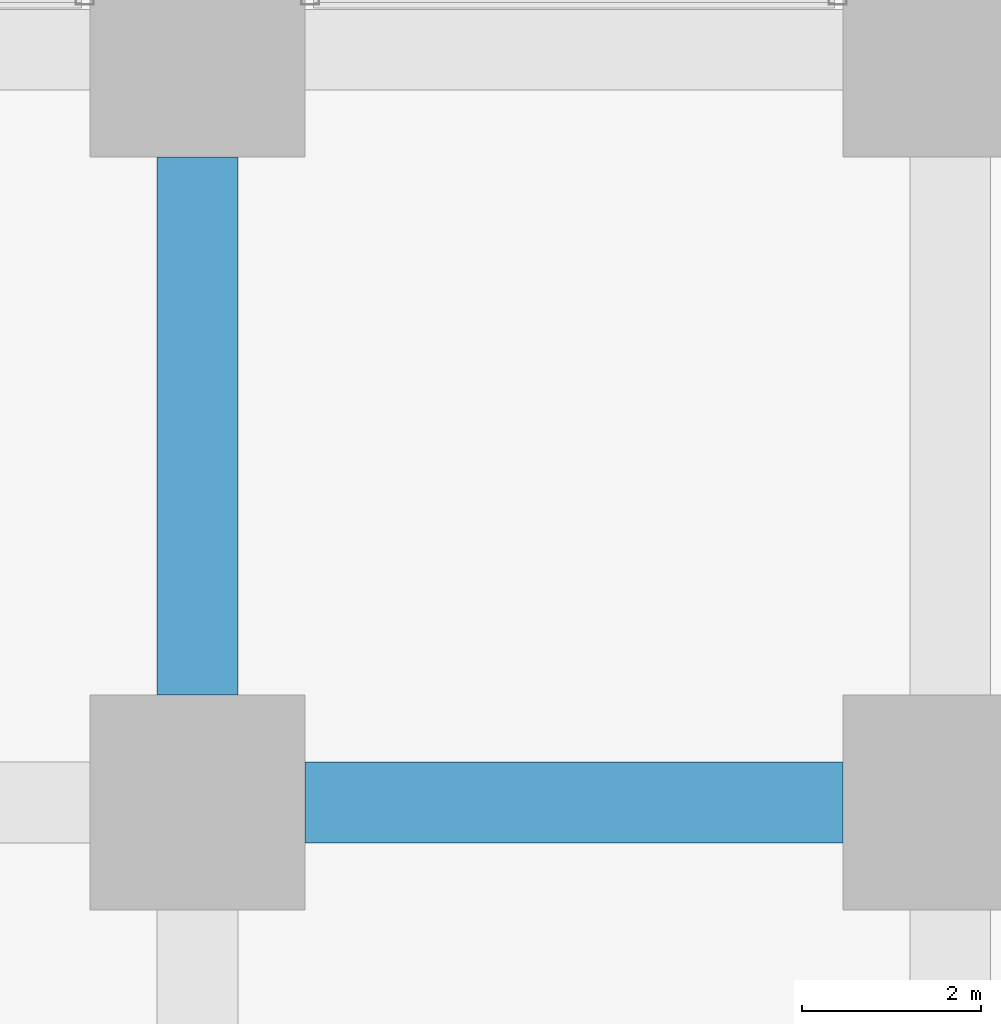
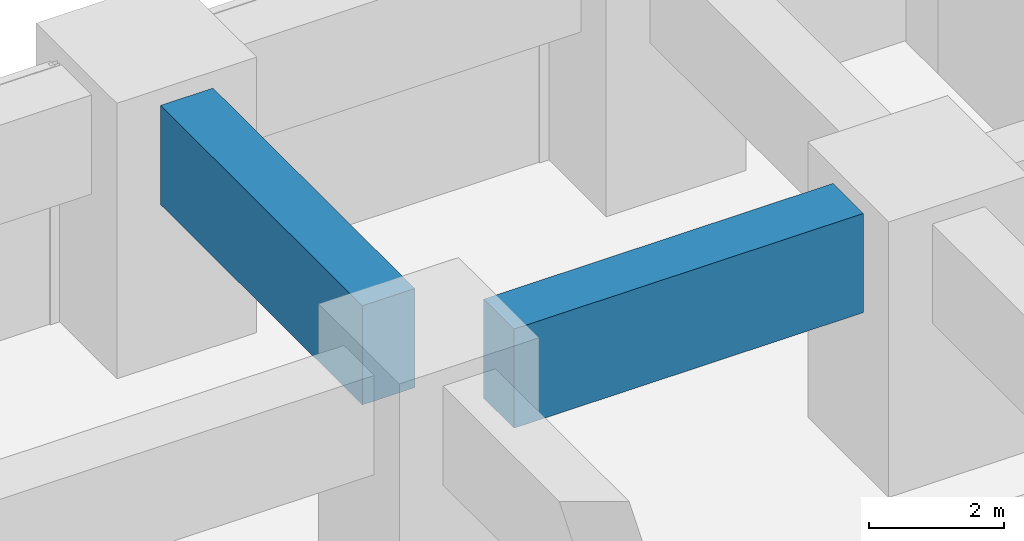
# One storey, part 22 of 49: 2 beams.
"""IFC4 building model written with IfcOpenShell, lengths in metres."""

from ifc_helpers import new_model, si_unit, direction, frame, origin, origin_2d, place, context, subcontext, project, spatial, rectangle, extrude, material, material_profile, profile_set, type_object, element, save


model = new_model("IFC4")

# Units and contexts
model_context = context("Model", 3, precision=1e-05, world=origin(), true_north=direction((0.0, 1.0)))
body_context = subcontext(model_context, "Body", "Model", "MODEL_VIEW")
ifc_project = project(units=[si_unit("LENGTHUNIT", "METRE"), si_unit("AREAUNIT", "SQUARE_METRE"), si_unit("VOLUMEUNIT", "CUBIC_METRE"), si_unit("PLANEANGLEUNIT", "RADIAN"), si_unit("MASSUNIT", "GRAM", prefix="KILO")], contexts=[model_context])

# Site, building, storey
site_placement = place(None, origin())
site = spatial("IfcSite", under=ifc_project, at=site_placement, CompositionType="ELEMENT")
building_placement = place(site_placement, origin())
building = spatial("IfcBuilding", under=site, at=building_placement, Name="Rekha Terrace Tower", CompositionType="ELEMENT")
storey_placement = place(building_placement, frame((0.0, 0.0, 10.39990234375)))
storey = spatial("IfcBuildingStorey", under=building, at=storey_placement, Name="L02", CompositionType="ELEMENT", Elevation=10.39990234375)

# Beams
ifc_material = material(Name="Concrete M60", Category="concrete")
ifc_material_profile = material_profile(ifc_material, rectangle(XDim=0.89990234375, YDim=1.800048828125, at=origin_2d()), Name="RC 900x1800")
ifc_profile_set = profile_set([ifc_material_profile], Name="Concrete M60")
beam_type = type_object("IfcBeamType", Name="G1 900x1800 podium floor beam", PredefinedType="BEAM", material=ifc_profile_set)
for number, where, z_axis, x_axis, name in (
    (1, (9.60009765625, 50.39990234375, 3.800048828125), (1.0, 0.0, 0.0), (0.0, 1.0, 0.0), "Beam G1 2G-3G under L03"),
    (2, (8.39990234375, 51.60009765625, 3.800048828125), (0.0, 1.0, 0.0), (-1.0, 0.0, 0.0), "Beam G1 2G-2H under L03"),
):
    element("IfcBeam", number, at=place(storey_placement, frame(where, z_axis=z_axis, x_axis=x_axis)), inside=storey, type_object=beam_type, Name=name, PredefinedType="BEAM", context=body_context, shape_type="SweptSolid", body=[
        extrude(rectangle(XDim=0.89990234375, YDim=1.800048828125, at=origin_2d()), origin(), (0.0, 0.0, 1.0), 6.0),
    ])

save(model, "model.ifc")
